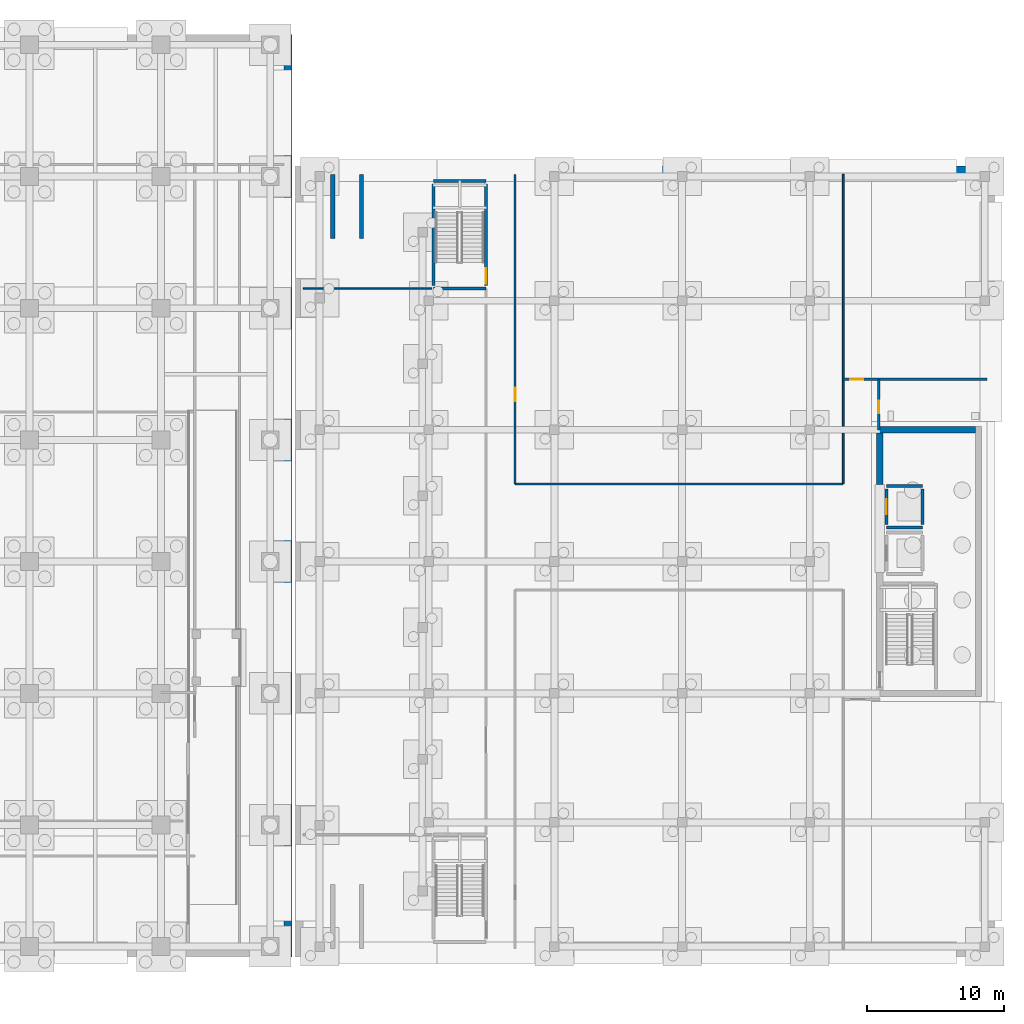
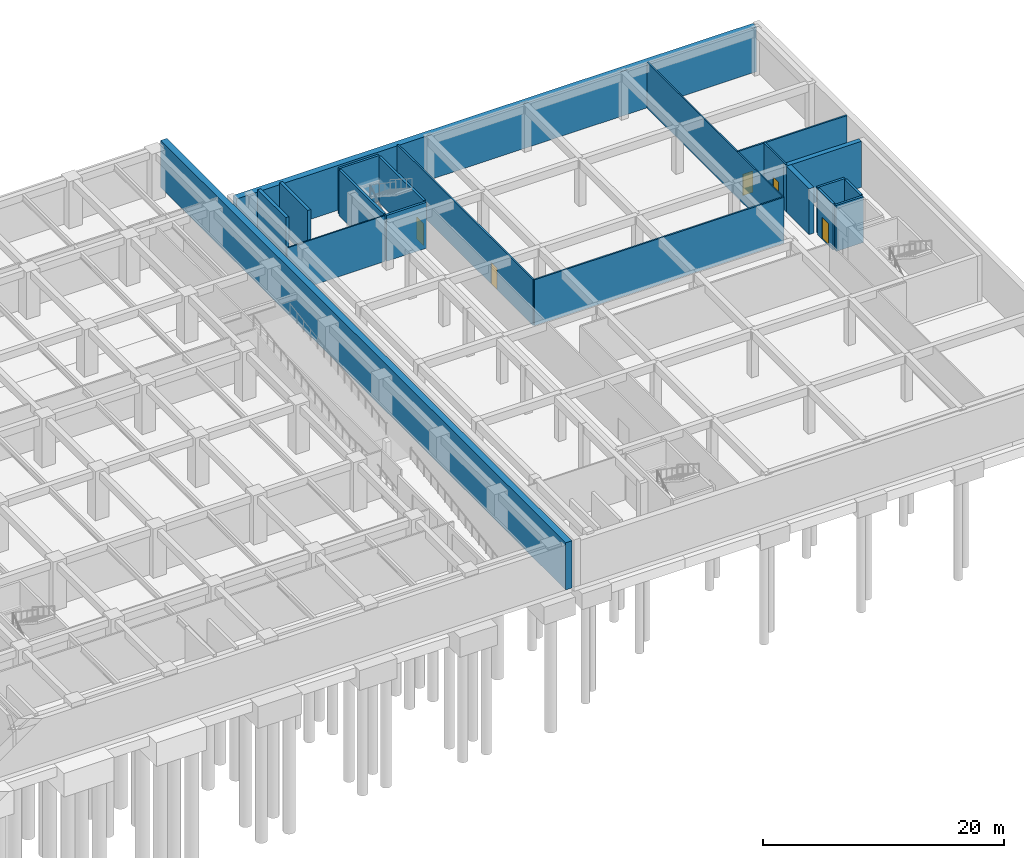
# One storey, part 14 of 20: 20 walls, 5 doors, 5 openings.
"""IFC4 building model written with IfcOpenShell, lengths in metres."""

from ifc_helpers import new_model, si_unit, direction, frame, frame_2d, origin, place, context, subcontext, project, spatial, rectangle, extrude, material, layer, layer_set, type_object, element, fill, save


model = new_model("IFC4")

# Units and contexts
model_context = context("Model", 3, precision=1e-05, world=origin(), true_north=direction((0.0, 1.0)))
body_context = subcontext(model_context, "Body", "Model", "MODEL_VIEW")
ifc_project = project(units=[si_unit("LENGTHUNIT", "METRE"), si_unit("AREAUNIT", "SQUARE_METRE"), si_unit("VOLUMEUNIT", "CUBIC_METRE"), si_unit("PLANEANGLEUNIT", "RADIAN"), si_unit("MASSUNIT", "GRAM", prefix="KILO")], contexts=[model_context])

# Site, building, storey
site_placement = place(None, origin())
site = spatial("IfcSite", under=ifc_project, at=site_placement, CompositionType="ELEMENT")
building_placement = place(site_placement, origin())
building = spatial("IfcBuilding", under=site, at=building_placement, Name="Norrvale University Quadrangle", CompositionType="ELEMENT")
storey_placement = place(building_placement, frame((0.0, 0.0, -5.0)))
storey = spatial("IfcBuildingStorey", under=building, at=storey_placement, Name="B01", CompositionType="ELEMENT", Elevation=-5.0)

# Walls
ifc_material_1 = material(Name="Standard Academic Gypsum Partition")
ifc_layer_1 = layer(ifc_material_1, 0.125, Name="Standard Academic Gypsum Partition")
ifc_layer_set_1 = layer_set([ifc_layer_1], Name="Standard Academic Gypsum Partition")
wall_type_1 = type_object("IfcWallType", Name="Wall Gypsum Academic 125", PredefinedType="PARTITIONING", material=ifc_layer_set_1)
wall_1_placement = place(storey_placement, frame((76.804931640625, 48.699951171875, 0.0), z_axis=(0.0, 0.0, 1.0), x_axis=(1.0, 0.0, 0.0)))
element("IfcWall", 1, at=wall_1_placement, inside=storey, type_object=wall_type_1, Name="Interior Partition WL-B01-LMW-N", PredefinedType="PARTITIONING", context=body_context, shape_type="SweptSolid", body=[
    extrude(rectangle(XDim=9.3701171875, YDim=0.125, at=frame_2d((4.68505859375, 0.0))), origin(), (0.0, 0.0, 1.0), 4.64990234375),
])
wall_2_placement = place(storey_placement, frame((116.139892578125, 34.4599609375, 0.0), z_axis=(0.0, 0.0, 1.0), x_axis=(0.0, 1.0, 0.0)))
element("IfcWall", 2, at=wall_2_placement, inside=storey, type_object=wall_type_1, Name="Interior Partition WL-B01-LCW-NE", PredefinedType="PARTITIONING", context=body_context, shape_type="SweptSolid", body=[
    extrude(rectangle(XDim=22.5400390625, YDim=0.125, at=frame_2d((11.27001953125, 0.0))), origin(), (0.0, 0.0, 1.0), 4.64990234375),
])

# Wall, opening, door
ifc_material_2 = material(Name="Fire-Rated Gypsum Stud Partition")
ifc_layer_2 = layer(ifc_material_2, 0.14990234375, Name="Fire-Rated Gypsum Stud Partition")
ifc_layer_set_2 = layer_set([ifc_layer_2], Name="Fire-Rated Gypsum Stud Partition")
wall_type_2 = type_object("IfcWallType", Name="Wall Gypsum Corridor 150", PredefinedType="PARTITIONING", material=ifc_layer_set_2)
wall_3_placement = place(storey_placement, frame((92.239990234375, 34.4599609375, 0.0), z_axis=(0.0, 0.0, 1.0), x_axis=(0.0, 1.0, 0.0)))
wall_3 = element("IfcWall", 3, at=wall_3_placement, inside=storey, type_object=wall_type_2, Name="Interior Partition WL-B01-LCW-E2", PredefinedType="PARTITIONING", context=body_context, shape_type="SweptSolid", body=[
    extrude(rectangle(XDim=22.5400390625, YDim=0.14990234375, at=frame_2d((11.27001953125, 0.0))), origin(), (0.0, 0.0, 1.0), 4.64990234375),
])
opening_1_placement = place(wall_3_placement, frame((6.0, 0.0, 0.0)))
opening_1 = element("IfcOpeningElement", 4, at=opening_1_placement, cuts=wall_3, Name="Opening D04", PredefinedType="OPENING", context=body_context, shape_type="SweptSolid", body=[
    extrude(rectangle(XDim=1.0, YDim=2.199951171875, at=frame_2d((0.5, 1.10009765625))), frame((0.0, 0.0869140625, 0.0), z_axis=(0.0, -1.0, 0.0), x_axis=(1.0, 0.0, 0.0)), (0.0, 0.0, 1.0), 0.173828125),
])
ifc_material_3 = material(Name="Solid-Core Oak Fire Door", Category="wood")
door_type_1 = type_object("IfcDoorType", Name="Door Corridor 1000x2200", OperationType="NOTDEFINED", PredefinedType="DOOR", material=ifc_material_3)
door_1_placement = place(opening_1_placement, origin())
door_1 = element("IfcDoor", 5, at=door_1_placement, inside=storey, type_object=door_type_1, Name="Door Corridor 1000x2200 DR-B01-LCONS", OperationType="SINGLE_SWING_LEFT", OverallHeight=2.199951171875, OverallWidth=1.0, PredefinedType="DOOR", context=body_context, shape_type="SweptSolid", body=[
    extrude(rectangle(XDim=1.0, YDim=2.199951171875, at=frame_2d((0.5, 1.10009765625))), frame((0.0, 0.02490234375, 0.0), z_axis=(0.0, -1.0, 0.0), x_axis=(1.0, 0.0, 0.0)), (0.0, 0.0, 1.0), 0.050048828125),
])
fill(opening_1, door_1)

# Wall
wall_4_placement = place(storey_placement, frame((92.239990234375, 34.4599609375, 0.0), z_axis=(0.0, 0.0, 1.0), x_axis=(1.0, 0.0, 0.0)))
element("IfcWall", 6, at=wall_4_placement, inside=storey, type_object=wall_type_2, Name="Interior Partition WL-B01-LCW-N", PredefinedType="PARTITIONING", context=body_context, shape_type="SweptSolid", body=[
    extrude(rectangle(XDim=23.89990234375, YDim=0.14990234375, at=frame_2d((11.949951171875, 0.0))), origin(), (0.0, 0.0, 1.0), 4.64990234375),
])

# Wall, opening, door
wall_5_placement = place(storey_placement, frame((116.139892578125, 42.080078125, 0.0), z_axis=(0.0, 0.0, 1.0), x_axis=(1.0, 0.0, 0.0)))
wall_5 = element("IfcWall", 7, at=wall_5_placement, inside=storey, type_object=wall_type_2, Name="Interior Partition WL-B01-LARCH-S", PredefinedType="PARTITIONING", context=body_context, shape_type="SweptSolid", body=[
    extrude(rectangle(XDim=10.460205078125, YDim=0.14990234375, at=frame_2d((5.22998046875, 0.0))), origin(), (0.0, 0.0, 1.0), 4.64990234375),
])
opening_2_placement = place(wall_5_placement, frame((0.5, 0.0, 0.0)))
opening_2 = element("IfcOpeningElement", 8, at=opening_2_placement, cuts=wall_5, Name="Opening D07", PredefinedType="OPENING", context=body_context, shape_type="SweptSolid", body=[
    extrude(rectangle(XDim=0.949951171875, YDim=2.14990234375, at=frame_2d((0.47509765625, 1.074951171875))), frame((0.0, 0.0869140625, 0.0), z_axis=(0.0, -1.0, 0.0), x_axis=(1.0, 0.0, 0.0)), (0.0, 0.0, 1.0), 0.173828125),
])
ifc_material_4 = material(Name="Solid-Core Maple Door", Category="wood")
door_type_2 = type_object("IfcDoorType", Name="Door Office 950x2150", OperationType="NOTDEFINED", PredefinedType="DOOR", material=ifc_material_4)
door_2_placement = place(opening_2_placement, origin())
door_2 = element("IfcDoor", 9, at=door_2_placement, inside=storey, type_object=door_type_2, Name="Door Office 950x2150 DR-B01-LARCH", OperationType="SINGLE_SWING_RIGHT", OverallHeight=2.14990234375, OverallWidth=0.949951171875, PredefinedType="DOOR", context=body_context, shape_type="SweptSolid", body=[
    extrude(rectangle(XDim=0.949951171875, YDim=2.14990234375, at=frame_2d((0.47509765625, 1.074951171875))), frame((0.0, 0.02490234375, 0.0), z_axis=(0.0, -1.0, 0.0), x_axis=(1.0, 0.0, 0.0)), (0.0, 0.0, 1.0), 0.050048828125),
])
fill(opening_2, door_2)

ifc_material_5 = material(Name="Sanitary Chase Gypsum Partition")
ifc_layer_3 = layer(ifc_material_5, 0.1650390625, Name="Sanitary Chase Gypsum Partition")
ifc_layer_set_3 = layer_set([ifc_layer_3], Name="Sanitary Chase Gypsum Partition")
wall_type_3 = type_object("IfcWallType", Name="Wall Gypsum Sanitary 165", PredefinedType="PLUMBINGWALL", material=ifc_layer_set_3)
wall_6_placement = place(storey_placement, frame((118.719970703125, 38.39990234375, 0.0), z_axis=(0.0, 0.0, 1.0), x_axis=(0.0, 1.0, 0.0)))
wall_6 = element("IfcWall", 10, at=wall_6_placement, inside=storey, type_object=wall_type_3, Name="Interior Partition WL-B01-LWC-W", PredefinedType="PLUMBINGWALL", context=body_context, shape_type="SweptSolid", body=[
    extrude(rectangle(XDim=3.68017578125, YDim=0.1650390625, at=frame_2d((1.840087890625, 0.0))), origin(), (0.0, 0.0, 1.0), 4.64990234375),
])
opening_3_placement = place(wall_6_placement, frame((1.199951171875, 0.0, 0.0)))
opening_3 = element("IfcOpeningElement", 11, at=opening_3_placement, cuts=wall_6, Name="Opening D08", PredefinedType="OPENING", context=body_context, shape_type="SweptSolid", body=[
    extrude(rectangle(XDim=0.919921875, YDim=2.14990234375, at=frame_2d((0.4599609375, 1.074951171875))), frame((0.0, 0.094482421875, 0.0), z_axis=(0.0, -1.0, 0.0), x_axis=(1.0, 0.0, 0.0)), (0.0, 0.0, 1.0), 0.18896484375),
])
ifc_material_6 = material(Name="Laminate Washroom Door", Category="wood")
door_type_3 = type_object("IfcDoorType", Name="Door Washroom 920x2150", OperationType="NOTDEFINED", PredefinedType="DOOR", material=ifc_material_6)
door_3_placement = place(opening_3_placement, origin())
door_3 = element("IfcDoor", 12, at=door_3_placement, inside=storey, type_object=door_type_3, Name="Door Washroom 920x2150 DR-B01-LWC", OperationType="SINGLE_SWING_LEFT", OverallHeight=2.14990234375, OverallWidth=0.919921875, PredefinedType="DOOR", context=body_context, shape_type="SweptSolid", body=[
    extrude(rectangle(XDim=0.919921875, YDim=2.14990234375, at=frame_2d((0.4599609375, 1.074951171875))), frame((0.0, 0.02490234375, 0.0), z_axis=(0.0, -1.0, 0.0), x_axis=(1.0, 0.0, 0.0)), (0.0, 0.0, 1.0), 0.050048828125),
])
fill(opening_3, door_3)

# Walls
ifc_material_7 = material(Name="Concrete C60/75", Category="concrete")
ifc_layer_4 = layer(ifc_material_7, 0.449951171875, Name="Concrete C60/75")
ifc_layer_set_4 = layer_set([ifc_layer_4], Name="Concrete C60/75")
wall_type_4 = type_object("IfcWallType", Name="Wall Lib Core 450", PredefinedType="SHEAR", material=ifc_layer_set_4)
wall_7_placement = place(storey_placement, frame((118.574951171875, 38.39990234375, 0.0), z_axis=(0.0, 0.0, 1.0), x_axis=(1.0, 0.0, 0.0)))
element("IfcWall", 13, at=wall_7_placement, inside=storey, type_object=wall_type_4, Name="Library Core Shear Wall B01-N", PredefinedType="SHEAR", context=body_context, shape_type="SweptSolid", body=[
    extrude(rectangle(XDim=7.199951171875, YDim=0.449951171875, at=frame_2d((3.60009765625, 0.0))), origin(), (0.0, 0.0, 1.0), 4.64990234375),
])
wall_8_placement = place(storey_placement, frame((118.800048828125, 34.39990234375, 0.0), z_axis=(0.0, 0.0, 1.0), x_axis=(0.0, 1.0, 0.0)))
element("IfcWall", 14, at=wall_8_placement, inside=storey, type_object=wall_type_4, Name="Library Core Shear Wall B01-W2", PredefinedType="SHEAR", context=body_context, shape_type="SweptSolid", body=[
    extrude(rectangle(XDim=3.775146484375, YDim=0.449951171875, at=frame_2d((1.8876953125, 0.0))), origin(), (0.0, 0.0, 1.0), 4.64990234375),
])
ifc_material_8 = material(Name="Concrete C50/60", Category="concrete")
ifc_layer_5 = layer(ifc_material_8, 0.300048828125, Name="Concrete C50/60")
ifc_layer_set_5 = layer_set([ifc_layer_5], Name="Concrete C50/60")
wall_type_5 = type_object("IfcWallType", Name="Wall Ramp Cheek 300", PredefinedType="SOLIDWALL", material=ifc_layer_set_5)
for number, where, z_axis, x_axis, name in (
    (15, (78.949951171875, 52.320068359375, 0.0), (0.0, 0.0, 1.0), (0.0, 1.0, 0.0), "Plaza Ramp Foundation Cheek Wall Q1-W"),
    (16, (81.050048828125, 52.320068359375, 0.0), (0.0, 0.0, 1.0), (0.0, 1.0, 0.0), "Plaza Ramp Foundation Cheek Wall Q1-E"),
):
    element("IfcWall", number, at=place(storey_placement, frame(where, z_axis=z_axis, x_axis=x_axis)), inside=storey, type_object=wall_type_5, Name=name, PredefinedType="SOLIDWALL", context=body_context, shape_type="SweptSolid", body=[
        extrude(rectangle(XDim=4.679931640625, YDim=0.300048828125, at=frame_2d((2.33984375, 0.0))), origin(), (0.0, 0.0, 1.0), 4.780029296875),
    ])
ifc_layer_6 = layer(ifc_material_8, 0.60009765625, Name="Concrete C50/60")
ifc_layer_set_6 = layer_set([ifc_layer_6], Name="Concrete C50/60")
wall_type_6 = type_object("IfcWallType", Name="Wall Retaining 600", PredefinedType="USERDEFINED", material=ifc_layer_set_6)
wall_9_placement = place(storey_placement, frame((75.699951171875, 0.0, 0.0), z_axis=(0.0, 0.0, 1.0), x_axis=(0.0, 1.0, 0.0)))
element("IfcWall", 17, at=wall_9_placement, inside=storey, type_object=wall_type_6, Name="Basement Retaining Wall T-E", ObjectType="RETAININGWALL", PredefinedType="USERDEFINED", context=body_context, shape_type="SweptSolid", body=[
    extrude(rectangle(XDim=67.199951171875, YDim=0.60009765625, at=frame_2d((33.60009765625, 0.0))), origin(), (0.0, 0.0, 1.0), 4.780029296875),
])
wall_10_placement = place(storey_placement, frame((126.60009765625, 57.300048828125, 0.0), z_axis=(0.0, 0.0, 1.0), x_axis=(-1.0, 0.0, 0.0)))
element("IfcWall", 18, at=wall_10_placement, inside=storey, type_object=wall_type_6, Name="Basement Retaining Wall L-N", ObjectType="RETAININGWALL", PredefinedType="USERDEFINED", context=body_context, shape_type="SweptSolid", body=[
    extrude(rectangle(XDim=49.800048828125, YDim=0.60009765625, at=frame_2d((24.89990234375, 0.0))), origin(), (0.0, 0.0, 1.0), 4.5400390625),
])
ifc_material_9 = material(Name="Concrete Blockwork 20 MPa Fire Shaft", Category="masonry")
ifc_layer_7 = layer(ifc_material_9, 0.219970703125, Name="Concrete Blockwork 20 MPa Fire Shaft")
ifc_layer_set_7 = layer_set([ifc_layer_7], Name="Concrete Blockwork 20 MPa Fire Shaft")
wall_type_7 = type_object("IfcWallType", Name="Wall Shaft 220", PredefinedType="SOLIDWALL", material=ifc_layer_set_7)
wall_11_placement = place(storey_placement, frame((86.2900390625, 48.909912109375, 0.0), z_axis=(0.0, 0.0, 1.0), x_axis=(0.0, 1.0, 0.0)))
element("IfcWall", 19, at=wall_11_placement, inside=storey, type_object=wall_type_7, Name="Library Stair ST-L3 West Wall B01", PredefinedType="SOLIDWALL", context=body_context, shape_type="SweptSolid", body=[
    extrude(rectangle(XDim=7.380126953125, YDim=0.219970703125, at=frame_2d((3.68994140625, 0.0))), origin(), (0.0, 0.0, 1.0), 4.64990234375),
])
for number, where, z_axis, x_axis, name in (
    (20, (86.2900390625, 48.68994140625, 0.0), (0.0, 0.0, 1.0), (1.0, 0.0, 0.0), "Library Stair ST-L3 South Wall B01"),
    (21, (86.2900390625, 56.510009765625, 0.0), (0.0, 0.0, 1.0), (1.0, 0.0, 0.0), "Library Stair ST-L3 North Wall B01"),
):
    element("IfcWall", number, at=place(storey_placement, frame(where, z_axis=z_axis, x_axis=x_axis)), inside=storey, type_object=wall_type_7, Name=name, PredefinedType="SOLIDWALL", context=body_context, shape_type="SweptSolid", body=[
        extrude(rectangle(XDim=3.820068359375, YDim=0.219970703125, at=frame_2d((1.91015625, 0.0))), origin(), (0.0, 0.0, 1.0), 4.64990234375),
    ])

# Wall, opening, door
wall_12_placement = place(storey_placement, frame((90.110107421875, 48.909912109375, 0.0), z_axis=(0.0, 0.0, 1.0), x_axis=(0.0, 1.0, 0.0)))
wall_12 = element("IfcWall", 22, at=wall_12_placement, inside=storey, type_object=wall_type_7, Name="Library Stair ST-L3 East Wall B01", PredefinedType="SOLIDWALL", context=body_context, shape_type="SweptSolid", body=[
    extrude(rectangle(XDim=7.380126953125, YDim=0.219970703125, at=frame_2d((3.68994140625, 0.0))), origin(), (0.0, 0.0, 1.0), 4.64990234375),
])
opening_4_placement = place(wall_12_placement, frame((0.139892578125, 0.0, 0.0)))
opening_4 = element("IfcOpeningElement", 23, at=opening_4_placement, cuts=wall_12, Name="Opening D02", PredefinedType="OPENING", context=body_context, shape_type="SweptSolid", body=[
    extrude(rectangle(XDim=1.10009765625, YDim=2.199951171875, at=frame_2d((0.550048828125, 1.10009765625))), frame((0.0, 0.1220703125, 0.0), z_axis=(0.0, -1.0, 0.0), x_axis=(1.0, 0.0, 0.0)), (0.0, 0.0, 1.0), 0.243896484375),
])
ifc_material_10 = material(Name="Hollow Steel 350W Fire Door", Category="steel")
door_type_4 = type_object("IfcDoorType", Name="Door Stair Exit 1100x2200", OperationType="NOTDEFINED", PredefinedType="DOOR", material=ifc_material_10)
door_4_placement = place(opening_4_placement, origin())
door_4 = element("IfcDoor", 24, at=door_4_placement, inside=storey, type_object=door_type_4, Name="Door Stair Exit 1100x2200 DR-B01-ST-L3", OperationType="SINGLE_SWING_RIGHT", OverallHeight=2.199951171875, OverallWidth=1.10009765625, PredefinedType="DOOR", context=body_context, shape_type="SweptSolid", body=[
    extrude(rectangle(XDim=1.10009765625, YDim=2.199951171875, at=frame_2d((0.550048828125, 1.10009765625))), frame((0.0, 0.02490234375, 0.0), z_axis=(0.0, -1.0, 0.0), x_axis=(1.0, 0.0, 0.0)), (0.0, 0.0, 1.0), 0.050048828125),
])
fill(opening_4, door_4)

wall_13_placement = place(storey_placement, frame((119.2900390625, 31.510009765625, 0.0), z_axis=(0.0, 0.0, 1.0), x_axis=(0.0, 1.0, 0.0)))
wall_13 = element("IfcWall", 25, at=wall_13_placement, inside=storey, type_object=wall_type_7, Name="Hoistway LL-02 West Wall B01", PredefinedType="SOLIDWALL", context=body_context, shape_type="SweptSolid", body=[
    extrude(rectangle(XDim=2.580078125, YDim=0.219970703125, at=frame_2d((1.2900390625, 0.0))), origin(), (0.0, 0.0, 1.0), 4.64990234375),
])
opening_5_placement = place(wall_13_placement, frame((0.739990234375, 0.0, 0.0)))
opening_5 = element("IfcOpeningElement", 26, at=opening_5_placement, cuts=wall_13, Name="Opening LD1", PredefinedType="OPENING", context=body_context, shape_type="SweptSolid", body=[
    extrude(rectangle(XDim=1.10009765625, YDim=2.199951171875, at=frame_2d((0.550048828125, 1.10009765625))), frame((0.0, 0.1220703125, 0.0), z_axis=(0.0, -1.0, 0.0), x_axis=(1.0, 0.0, 0.0)), (0.0, 0.0, 1.0), 0.243896484375),
])
ifc_material_11 = material(Name="Stainless Steel 316L Lift Landing Door", Category="steel")
door_type_5 = type_object("IfcDoorType", Name="Door Lift Landing 1100x2200", OperationType="DOUBLE_DOOR_SLIDING", PredefinedType="DOOR", material=ifc_material_11)
door_5_placement = place(opening_5_placement, origin())
door_5 = element("IfcDoor", 27, at=door_5_placement, inside=storey, type_object=door_type_5, Name="Elevator Landing Door DR-B01-LL-02", OperationType="DOUBLE_DOOR_SLIDING", OverallHeight=2.199951171875, OverallWidth=1.10009765625, PredefinedType="DOOR", context=body_context, shape_type="SweptSolid", body=[
    extrude(rectangle(XDim=1.10009765625, YDim=2.199951171875, at=frame_2d((0.550048828125, 1.10009765625))), frame((0.0, 0.02490234375, 0.0), z_axis=(0.0, -1.0, 0.0), x_axis=(1.0, 0.0, 0.0)), (0.0, 0.0, 1.0), 0.050048828125),
])
fill(opening_5, door_5)

# Walls
wall_14_placement = place(storey_placement, frame((121.909912109375, 31.510009765625, 0.0), z_axis=(0.0, 0.0, 1.0), x_axis=(0.0, 1.0, 0.0)))
element("IfcWall", 28, at=wall_14_placement, inside=storey, type_object=wall_type_7, Name="Hoistway LL-02 East Wall B01", PredefinedType="SOLIDWALL", context=body_context, shape_type="SweptSolid", body=[
    extrude(rectangle(XDim=2.580078125, YDim=0.219970703125, at=frame_2d((1.2900390625, 0.0))), origin(), (0.0, 0.0, 1.0), 4.64990234375),
])
for number, where, z_axis, x_axis, name in (
    (29, (119.2900390625, 31.2900390625, 0.0), (0.0, 0.0, 1.0), (1.0, 0.0, 0.0), "Hoistway LL-02 South Wall B01"),
    (30, (119.2900390625, 34.31005859375, 0.0), (0.0, 0.0, 1.0), (1.0, 0.0, 0.0), "Hoistway LL-02 North Wall B01"),
):
    element("IfcWall", number, at=place(storey_placement, frame(where, z_axis=z_axis, x_axis=x_axis)), inside=storey, type_object=wall_type_7, Name=name, PredefinedType="SOLIDWALL", context=body_context, shape_type="SweptSolid", body=[
        extrude(rectangle(XDim=2.619873046875, YDim=0.219970703125, at=frame_2d((1.31005859375, 0.0))), origin(), (0.0, 0.0, 1.0), 4.64990234375),
    ])

save(model, "model.ifc")
